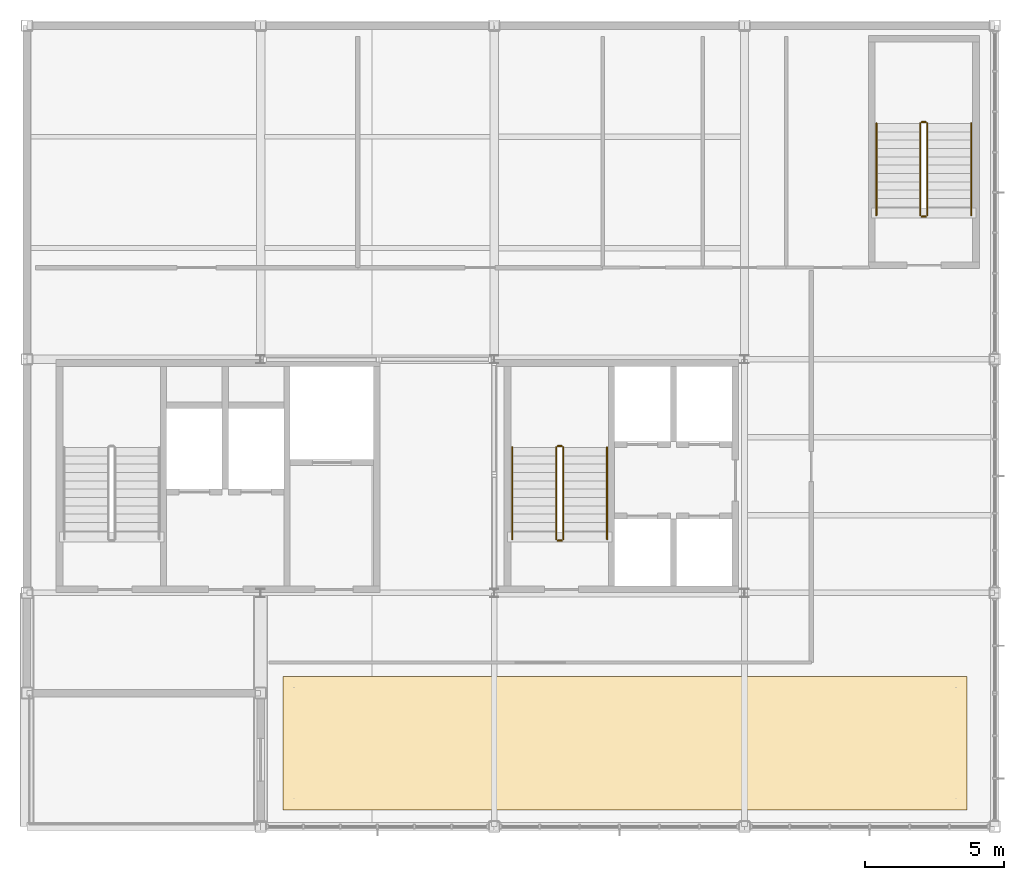
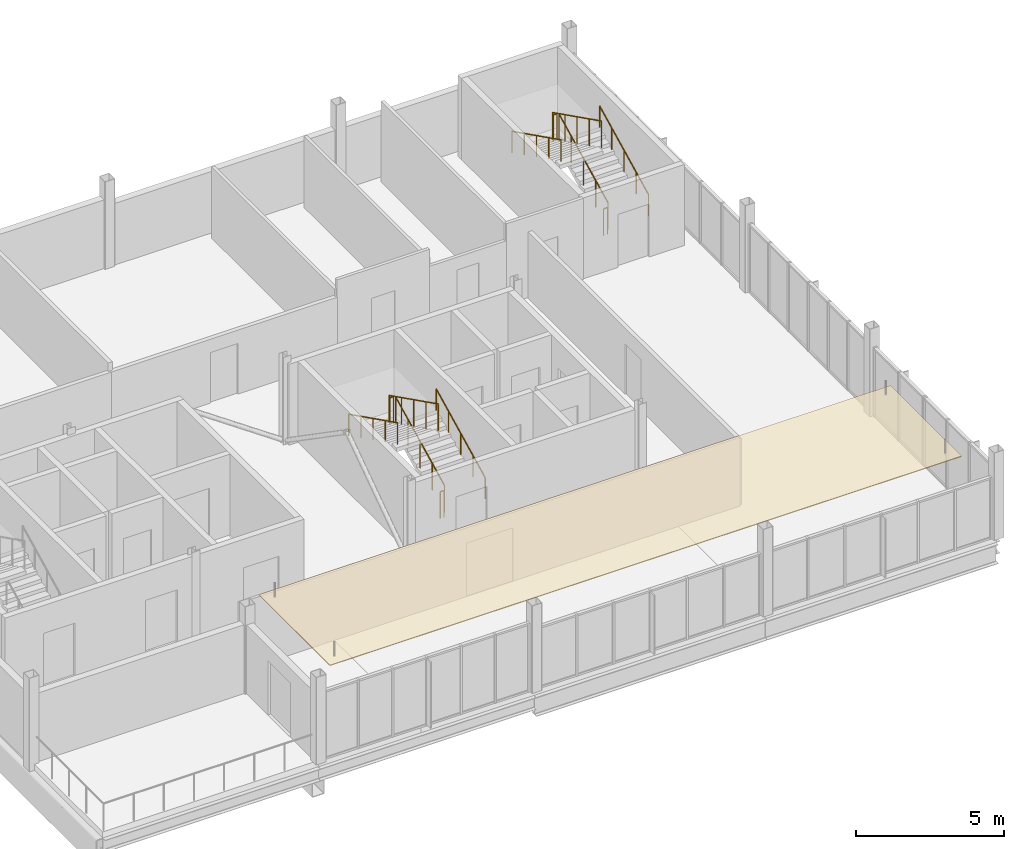
# One storey, part 17 of 17: 12 railings, 1 covering.
"""IFC4 building model written with IfcOpenShell, lengths in metres."""

from ifc_helpers import new_model, si_unit, direction, frame, origin, origin_2d, place, context, subcontext, project, spatial, polyline, circle, outline, extrude, material, layer, layer_set, type_object, element, save


model = new_model("IFC4")

# Units and contexts
model_context = context("Model", 3, precision=1e-05, world=origin(), true_north=direction((0.0, 1.0)))
body_context = subcontext(model_context, "Body", "Model", "MODEL_VIEW")
ifc_project = project(units=[si_unit("LENGTHUNIT", "METRE"), si_unit("AREAUNIT", "SQUARE_METRE"), si_unit("VOLUMEUNIT", "CUBIC_METRE"), si_unit("PLANEANGLEUNIT", "RADIAN"), si_unit("MASSUNIT", "GRAM", prefix="KILO")], contexts=[model_context])

# Site, building, storey
site_placement = place(None, origin())
site = spatial("IfcSite", under=ifc_project, at=site_placement, CompositionType="ELEMENT")
building_placement = place(site_placement, origin())
building = spatial("IfcBuilding", under=site, at=building_placement, Name="Yukiwa Park Conservatory and Herbarium", CompositionType="ELEMENT")
storey_placement = place(building_placement, frame((0.0, 0.0, 57.60009765625)))
storey = spatial("IfcBuildingStorey", under=building, at=storey_placement, Name="L15", CompositionType="ELEMENT", Elevation=57.60009765625)

# Covering
ifc_material_1 = material(Name="Acoustic Mineral Fibre Ceiling")
ifc_layer_1 = layer(ifc_material_1, 0.030029296875)
ifc_layer_set_1 = layer_set([ifc_layer_1], Name="Acoustic Mineral Fibre Ceiling")
covering_type = type_object("IfcCoveringType", Name="COV-CEIL-ACOUSTIC", PredefinedType="CEILING", material=ifc_layer_set_1)
covering_placement = place(storey_placement, frame((0.0, 0.0, 3.25)))
element("IfcCovering", 1, at=covering_placement, inside=storey, type_object=covering_type, Name="L15 acoustic suspended ceiling CLG-L15-OBS", PredefinedType="CEILING", context=body_context, shape_type="SweptSolid", body=[
    extrude(outline(polyline([(142.39990234375, 87.0), (167.0, 87.0), (167.0, 91.800048828125), (142.39990234375, 91.800048828125), (142.39990234375, 87.0)])), origin(), (0.0, 0.0, 1.0), 0.02978515625),
])

# Railings
ifc_material_2 = material(Name="Steel Q235B", Category="steel")
ifc_layer_2 = layer(ifc_material_2, 0.050048828125)
ifc_layer_set_2 = layer_set([ifc_layer_2], Name="Steel Q235B")
railing_type_1 = type_object("IfcRailingType", Name="RL-STAIR-GUARD-1120", PredefinedType="BALUSTRADE", material=ifc_layer_set_2)
railing_1_placement = place(storey_placement, frame((152.47998046875, 96.72998046875, 0.14990234375)))
element("IfcRailing", 2, at=railing_1_placement, inside=storey, type_object=railing_type_1, Name="L15 ST-T2 stair guard 1", PredefinedType="BALUSTRADE", context=body_context, shape_type="SweptSolid", body=[
    extrude(circle(Radius=0.02392578125, at=origin_2d()), frame((0.0, 0.0, 1.09619140625), z_axis=(0.0, 0.894440424912, 0.447187126696), x_axis=(-1.0, 0.0, 0.0)), (0.0, 0.0, 1.0), 3.689453125),
    extrude(circle(Radius=0.02099609375, at=origin_2d()), origin(), (0.0, 0.0, 1.0), 1.072021484375),
    extrude(circle(Radius=0.02099609375, at=origin_2d()), frame((0.0, 0.824951171875, 0.41259765625)), (0.0, 0.0, 1.0), 1.072021484375),
    extrude(circle(Radius=0.02099609375, at=origin_2d()), frame((0.0, 1.64990234375, 0.824951171875)), (0.0, 0.0, 1.0), 1.072021484375),
    extrude(circle(Radius=0.02099609375, at=origin_2d()), frame((0.0, 2.47509765625, 1.2373046875)), (0.0, 0.0, 1.0), 1.072021484375),
    extrude(circle(Radius=0.02099609375, at=origin_2d()), frame((0.0, 3.300048828125, 1.64990234375)), (0.0, 0.0, 1.0), 1.072021484375),
])
railing_2_placement = place(storey_placement, frame((152.429931640625, 100.080078125, 1.7998046875)))
element("IfcRailing", 3, at=railing_2_placement, inside=storey, type_object=railing_type_1, Name="L15 ST-T2 stair guard 2", PredefinedType="BALUSTRADE", context=body_context, shape_type="SweptSolid", body=[
    extrude(circle(Radius=0.02392578125, at=origin_2d()), frame((0.0, 0.0, 1.09619140625), z_axis=(-1.0, 0.0, 0.0), x_axis=(0.0, -1.0, 0.0)), (0.0, 0.0, 1.0), 0.14990234375),
    extrude(circle(Radius=0.02099609375, at=origin_2d()), origin(), (0.0, 0.0, 1.0), 1.072021484375),
    extrude(circle(Radius=0.02099609375, at=origin_2d()), frame((-0.14990234375, 0.0, 0.0)), (0.0, 0.0, 1.0), 1.072021484375),
])
railing_3_placement = place(storey_placement, frame((152.22998046875, 100.030029296875, 1.949951171875)))
element("IfcRailing", 4, at=railing_3_placement, inside=storey, type_object=railing_type_1, Name="L15 ST-T2 stair guard 3", PredefinedType="BALUSTRADE", context=body_context, shape_type="SweptSolid", body=[
    extrude(circle(Radius=0.02392578125, at=origin_2d()), frame((0.0, 0.0, 1.09619140625), z_axis=(0.0, -0.894440424912, 0.447187126696), x_axis=(1.0, 0.0, 0.0)), (0.0, 0.0, 1.0), 3.689453125),
    extrude(circle(Radius=0.02099609375, at=origin_2d()), origin(), (0.0, 0.0, 1.0), 1.072021484375),
    extrude(circle(Radius=0.02099609375, at=origin_2d()), frame((0.0, -0.824951171875, 0.41259765625)), (0.0, 0.0, 1.0), 1.072021484375),
    extrude(circle(Radius=0.02099609375, at=origin_2d()), frame((0.0, -1.64990234375, 0.824951171875)), (0.0, 0.0, 1.0), 1.072021484375),
    extrude(circle(Radius=0.02099609375, at=origin_2d()), frame((0.0, -2.47509765625, 1.2373046875)), (0.0, 0.0, 1.0), 1.072021484375),
    extrude(circle(Radius=0.02099609375, at=origin_2d()), frame((0.0, -3.300048828125, 1.64990234375)), (0.0, 0.0, 1.0), 1.072021484375),
])
railing_4_placement = place(storey_placement, frame((152.429931640625, 96.679931640625, 0.0)))
element("IfcRailing", 5, at=railing_4_placement, inside=storey, type_object=railing_type_1, Name="L15 ST-T2 stair guard 4", PredefinedType="BALUSTRADE", context=body_context, shape_type="SweptSolid", body=[
    extrude(circle(Radius=0.02392578125, at=origin_2d()), frame((0.0, 0.0, 1.09619140625), z_axis=(-1.0, 0.0, 0.0), x_axis=(0.0, -1.0, 0.0)), (0.0, 0.0, 1.0), 0.14990234375),
    extrude(circle(Radius=0.02099609375, at=origin_2d()), origin(), (0.0, 0.0, 1.0), 1.072021484375),
    extrude(circle(Radius=0.02099609375, at=origin_2d()), frame((-0.14990234375, 0.0, 0.0)), (0.0, 0.0, 1.0), 1.072021484375),
])
railing_5_placement = place(storey_placement, frame((165.570068359375, 108.3798828125, 0.14990234375)))
element("IfcRailing", 6, at=railing_5_placement, inside=storey, type_object=railing_type_1, Name="L15 ST-T3 stair guard 1", PredefinedType="BALUSTRADE", context=body_context, shape_type="SweptSolid", body=[
    extrude(circle(Radius=0.02392578125, at=origin_2d()), frame((0.0, 0.0, 1.09619140625), z_axis=(0.0, 0.894440424912, 0.447187126696), x_axis=(-1.0, 0.0, 0.0)), (0.0, 0.0, 1.0), 3.689453125),
    extrude(circle(Radius=0.02099609375, at=origin_2d()), origin(), (0.0, 0.0, 1.0), 1.072021484375),
    extrude(circle(Radius=0.02099609375, at=origin_2d()), frame((0.0, 0.824951171875, 0.41259765625)), (0.0, 0.0, 1.0), 1.072021484375),
    extrude(circle(Radius=0.02099609375, at=origin_2d()), frame((0.0, 1.64990234375, 0.824951171875)), (0.0, 0.0, 1.0), 1.072021484375),
    extrude(circle(Radius=0.02099609375, at=origin_2d()), frame((0.0, 2.47509765625, 1.2373046875)), (0.0, 0.0, 1.0), 1.072021484375),
    extrude(circle(Radius=0.02099609375, at=origin_2d()), frame((0.0, 3.300048828125, 1.64990234375)), (0.0, 0.0, 1.0), 1.072021484375),
])
railing_6_placement = place(storey_placement, frame((165.52001953125, 111.72998046875, 1.7998046875)))
element("IfcRailing", 7, at=railing_6_placement, inside=storey, type_object=railing_type_1, Name="L15 ST-T3 stair guard 2", PredefinedType="BALUSTRADE", context=body_context, shape_type="SweptSolid", body=[
    extrude(circle(Radius=0.02392578125, at=origin_2d()), frame((0.0, 0.0, 1.09619140625), z_axis=(-1.0, 0.0, 0.0), x_axis=(0.0, -1.0, 0.0)), (0.0, 0.0, 1.0), 0.14990234375),
    extrude(circle(Radius=0.02099609375, at=origin_2d()), origin(), (0.0, 0.0, 1.0), 1.072021484375),
    extrude(circle(Radius=0.02099609375, at=origin_2d()), frame((-0.14990234375, 0.0, 0.0)), (0.0, 0.0, 1.0), 1.072021484375),
])
railing_7_placement = place(storey_placement, frame((165.320068359375, 111.679931640625, 1.949951171875)))
element("IfcRailing", 8, at=railing_7_placement, inside=storey, type_object=railing_type_1, Name="L15 ST-T3 stair guard 3", PredefinedType="BALUSTRADE", context=body_context, shape_type="SweptSolid", body=[
    extrude(circle(Radius=0.02392578125, at=origin_2d()), frame((0.0, 0.0, 1.09619140625), z_axis=(0.0, -0.894440424912, 0.447187126696), x_axis=(1.0, 0.0, 0.0)), (0.0, 0.0, 1.0), 3.689453125),
    extrude(circle(Radius=0.02099609375, at=origin_2d()), origin(), (0.0, 0.0, 1.0), 1.072021484375),
    extrude(circle(Radius=0.02099609375, at=origin_2d()), frame((0.0, -0.824951171875, 0.41259765625)), (0.0, 0.0, 1.0), 1.072021484375),
    extrude(circle(Radius=0.02099609375, at=origin_2d()), frame((0.0, -1.64990234375, 0.824951171875)), (0.0, 0.0, 1.0), 1.072021484375),
    extrude(circle(Radius=0.02099609375, at=origin_2d()), frame((0.0, -2.47509765625, 1.2373046875)), (0.0, 0.0, 1.0), 1.072021484375),
    extrude(circle(Radius=0.02099609375, at=origin_2d()), frame((0.0, -3.300048828125, 1.64990234375)), (0.0, 0.0, 1.0), 1.072021484375),
])
railing_8_placement = place(storey_placement, frame((165.52001953125, 108.330078125, 0.0)))
element("IfcRailing", 9, at=railing_8_placement, inside=storey, type_object=railing_type_1, Name="L15 ST-T3 stair guard 4", PredefinedType="BALUSTRADE", context=body_context, shape_type="SweptSolid", body=[
    extrude(circle(Radius=0.02392578125, at=origin_2d()), frame((0.0, 0.0, 1.09619140625), z_axis=(-1.0, 0.0, 0.0), x_axis=(0.0, -1.0, 0.0)), (0.0, 0.0, 1.0), 0.14990234375),
    extrude(circle(Radius=0.02099609375, at=origin_2d()), origin(), (0.0, 0.0, 1.0), 1.072021484375),
    extrude(circle(Radius=0.02099609375, at=origin_2d()), frame((-0.14990234375, 0.0, 0.0)), (0.0, 0.0, 1.0), 1.072021484375),
])
ifc_material_3 = material(Name="Steel Q235B", Category="steel")
ifc_layer_3 = layer(ifc_material_3, 0.044921875)
ifc_layer_set_3 = layer_set([ifc_layer_3], Name="Steel Q235B")
railing_type_2 = type_object("IfcRailingType", Name="RL-STAIR-RAIL-900", PredefinedType="HANDRAIL", material=ifc_layer_set_3)
railing_9_placement = place(storey_placement, frame((154.06005859375, 96.72998046875, 0.14990234375)))
element("IfcRailing", 10, at=railing_9_placement, inside=storey, type_object=railing_type_2, Name="L15 ST-T2 stair handrail 1", PredefinedType="HANDRAIL", context=body_context, shape_type="SweptSolid", body=[
    extrude(circle(Radius=0.02392578125, at=origin_2d()), frame((0.0, 0.0, 0.8759765625), z_axis=(0.0, 0.894440424912, 0.447187126696), x_axis=(-1.0, 0.0, 0.0)), (0.0, 0.0, 1.0), 3.689453125),
    extrude(circle(Radius=0.02099609375, at=origin_2d()), origin(), (0.0, 0.0, 1.0), 0.851806640625),
    extrude(circle(Radius=0.02099609375, at=origin_2d()), frame((0.0, 0.824951171875, 0.41259765625)), (0.0, 0.0, 1.0), 0.851806640625),
    extrude(circle(Radius=0.02099609375, at=origin_2d()), frame((0.0, 1.64990234375, 0.824951171875)), (0.0, 0.0, 1.0), 0.851806640625),
    extrude(circle(Radius=0.02099609375, at=origin_2d()), frame((0.0, 2.47509765625, 1.2373046875)), (0.0, 0.0, 1.0), 0.851806640625),
    extrude(circle(Radius=0.02099609375, at=origin_2d()), frame((0.0, 3.300048828125, 1.64990234375)), (0.0, 0.0, 1.0), 0.851806640625),
])
railing_10_placement = place(storey_placement, frame((150.64990234375, 100.030029296875, 1.949951171875)))
element("IfcRailing", 11, at=railing_10_placement, inside=storey, type_object=railing_type_2, Name="L15 ST-T2 stair handrail 2", PredefinedType="HANDRAIL", context=body_context, shape_type="SweptSolid", body=[
    extrude(circle(Radius=0.02392578125, at=origin_2d()), frame((0.0, 0.0, 0.8759765625), z_axis=(0.0, -0.894440424912, 0.447187126696), x_axis=(1.0, 0.0, 0.0)), (0.0, 0.0, 1.0), 3.689453125),
    extrude(circle(Radius=0.02099609375, at=origin_2d()), origin(), (0.0, 0.0, 1.0), 0.851806640625),
    extrude(circle(Radius=0.02099609375, at=origin_2d()), frame((0.0, -0.824951171875, 0.41259765625)), (0.0, 0.0, 1.0), 0.851806640625),
    extrude(circle(Radius=0.02099609375, at=origin_2d()), frame((0.0, -1.64990234375, 0.824951171875)), (0.0, 0.0, 1.0), 0.851806640625),
    extrude(circle(Radius=0.02099609375, at=origin_2d()), frame((0.0, -2.47509765625, 1.2373046875)), (0.0, 0.0, 1.0), 0.851806640625),
    extrude(circle(Radius=0.02099609375, at=origin_2d()), frame((0.0, -3.300048828125, 1.64990234375)), (0.0, 0.0, 1.0), 0.851806640625),
])
railing_11_placement = place(storey_placement, frame((167.14990234375, 108.3798828125, 0.14990234375)))
element("IfcRailing", 12, at=railing_11_placement, inside=storey, type_object=railing_type_2, Name="L15 ST-T3 stair handrail 1", PredefinedType="HANDRAIL", context=body_context, shape_type="SweptSolid", body=[
    extrude(circle(Radius=0.02392578125, at=origin_2d()), frame((0.0, 0.0, 0.8759765625), z_axis=(0.0, 0.894440424912, 0.447187126696), x_axis=(-1.0, 0.0, 0.0)), (0.0, 0.0, 1.0), 3.689453125),
    extrude(circle(Radius=0.02099609375, at=origin_2d()), origin(), (0.0, 0.0, 1.0), 0.851806640625),
    extrude(circle(Radius=0.02099609375, at=origin_2d()), frame((0.0, 0.824951171875, 0.41259765625)), (0.0, 0.0, 1.0), 0.851806640625),
    extrude(circle(Radius=0.02099609375, at=origin_2d()), frame((0.0, 1.64990234375, 0.824951171875)), (0.0, 0.0, 1.0), 0.851806640625),
    extrude(circle(Radius=0.02099609375, at=origin_2d()), frame((0.0, 2.47509765625, 1.2373046875)), (0.0, 0.0, 1.0), 0.851806640625),
    extrude(circle(Radius=0.02099609375, at=origin_2d()), frame((0.0, 3.300048828125, 1.64990234375)), (0.0, 0.0, 1.0), 0.851806640625),
])
railing_12_placement = place(storey_placement, frame((163.739990234375, 111.679931640625, 1.949951171875)))
element("IfcRailing", 13, at=railing_12_placement, inside=storey, type_object=railing_type_2, Name="L15 ST-T3 stair handrail 2", PredefinedType="HANDRAIL", context=body_context, shape_type="SweptSolid", body=[
    extrude(circle(Radius=0.02392578125, at=origin_2d()), frame((0.0, 0.0, 0.8759765625), z_axis=(0.0, -0.894440424912, 0.447187126696), x_axis=(1.0, 0.0, 0.0)), (0.0, 0.0, 1.0), 3.689453125),
    extrude(circle(Radius=0.02099609375, at=origin_2d()), origin(), (0.0, 0.0, 1.0), 0.851806640625),
    extrude(circle(Radius=0.02099609375, at=origin_2d()), frame((0.0, -0.824951171875, 0.41259765625)), (0.0, 0.0, 1.0), 0.851806640625),
    extrude(circle(Radius=0.02099609375, at=origin_2d()), frame((0.0, -1.64990234375, 0.824951171875)), (0.0, 0.0, 1.0), 0.851806640625),
    extrude(circle(Radius=0.02099609375, at=origin_2d()), frame((0.0, -2.47509765625, 1.2373046875)), (0.0, 0.0, 1.0), 0.851806640625),
    extrude(circle(Radius=0.02099609375, at=origin_2d()), frame((0.0, -3.300048828125, 1.64990234375)), (0.0, 0.0, 1.0), 0.851806640625),
])

save(model, "model.ifc")
